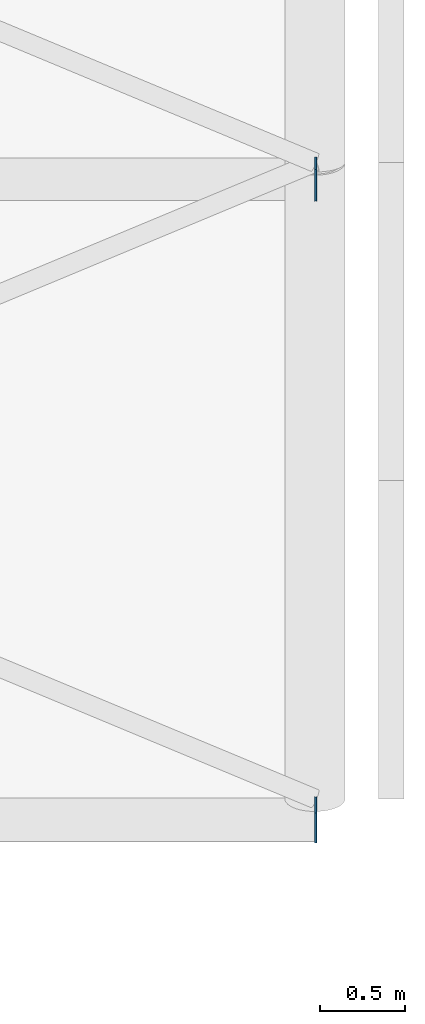
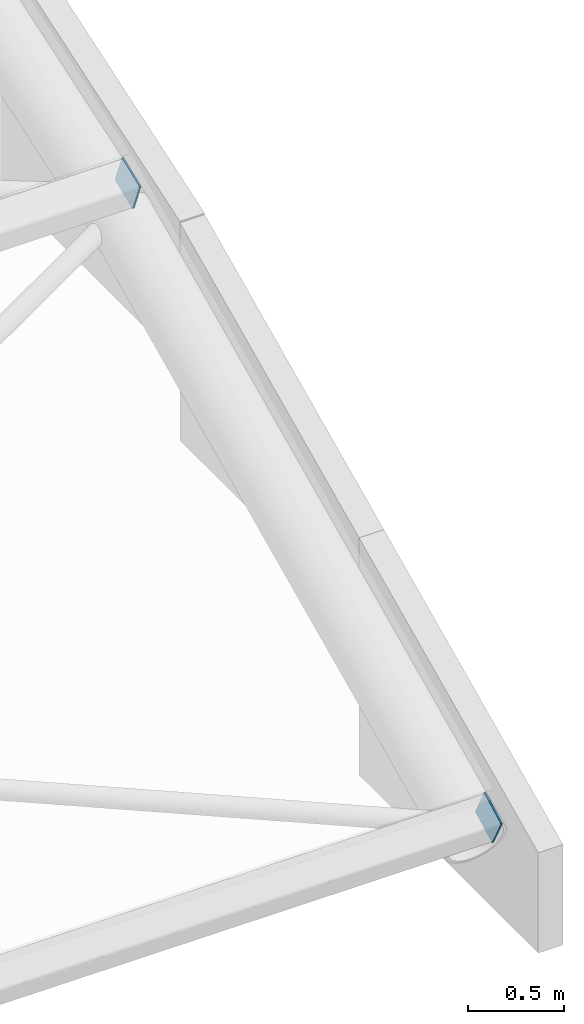
# One storey, part 39 of 54: 2 discrete accessories.
"""IFC4 building model written with IfcOpenShell, lengths in metres."""

from ifc_helpers import new_model, si_unit, direction, frame, origin, origin_2d, place, context, subcontext, project, spatial, rectangle, extrude, material, type_object, element, save


model = new_model("IFC4")

# Units and contexts
model_context = context("Model", 3, precision=1e-05, world=origin(), true_north=direction((0.0, 1.0)))
body_context = subcontext(model_context, "Body", "Model", "MODEL_VIEW")
ifc_project = project(units=[si_unit("LENGTHUNIT", "METRE"), si_unit("AREAUNIT", "SQUARE_METRE"), si_unit("VOLUMEUNIT", "CUBIC_METRE"), si_unit("PLANEANGLEUNIT", "RADIAN"), si_unit("MASSUNIT", "GRAM", prefix="KILO")], contexts=[model_context])

# Site, building, storey
site_placement = place(None, origin())
site = spatial("IfcSite", under=ifc_project, at=site_placement, CompositionType="ELEMENT")
building_placement = place(site_placement, origin())
building = spatial("IfcBuilding", under=site, at=building_placement, Name="Baradari Gate Terminus", CompositionType="ELEMENT")
storey_placement = place(building_placement, frame((0.0, 0.0, 15.89990234375)))
storey = spatial("IfcBuildingStorey", under=building, at=storey_placement, Name="L03", CompositionType="ELEMENT", Elevation=15.89990234375)

# Discrete accessories
ifc_material = material(Name="Steel S355", Category="steel")
discrete_accessory_type = type_object("IfcDiscreteAccessoryType", Name="Hollow section end plate EP-1 200x200x10", PredefinedType="ANCHORPLATE", material=ifc_material)
for number, where, z_axis, x_axis, name in (
    (1, (243.0, 43.375244140625, 1.17138671875), (1.0, 0.0, 0.0), (0.0, 0.883026855482, 0.469322461106), "End plate EP-1 at the end of TR/L03/B243-PU02"),
    (2, (243.0, 47.151611328125, 2.93359375), (1.0, 0.0, 0.0), (0.0, 0.928965199535, 0.370167067759), "End plate EP-1 at the end of TR/L03/B243-PU03"),
):
    element("IfcDiscreteAccessory", number, at=place(storey_placement, frame(where, z_axis=z_axis, x_axis=x_axis)), inside=storey, type_object=discrete_accessory_type, Name=name, PredefinedType="ANCHORPLATE", context=body_context, shape_type="SweptSolid", body=[
        extrude(rectangle(XDim=0.199951171875, YDim=0.199951171875, at=origin_2d()), origin(), (0.0, 0.0, 1.0), 0.010009765625),
    ])

save(model, "model.ifc")
